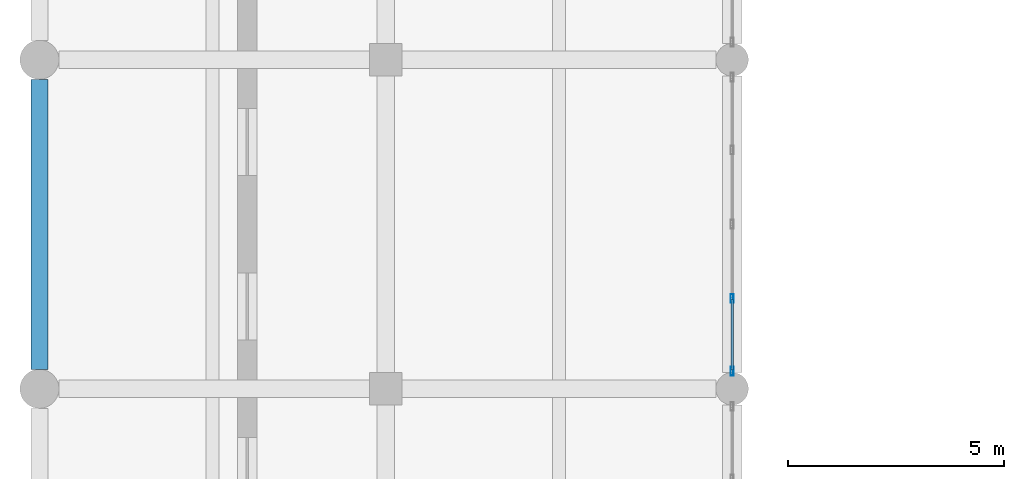
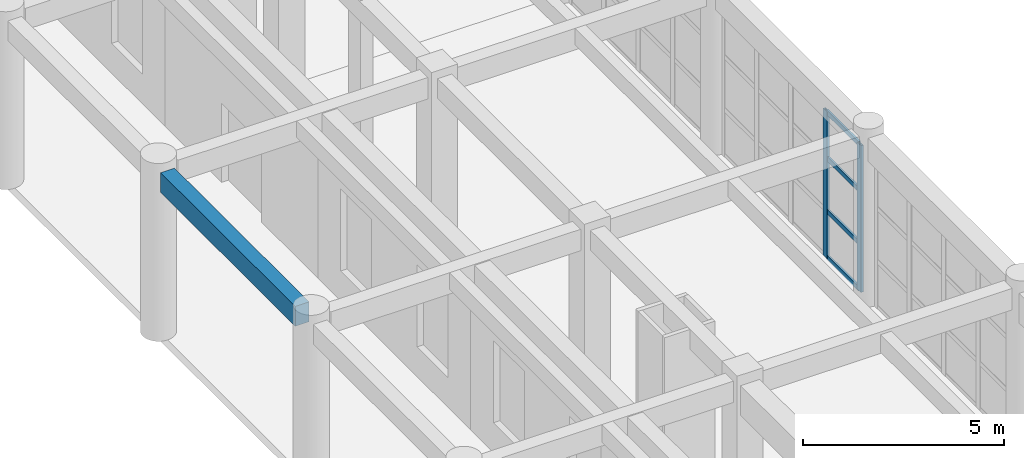
# One storey, part 17 of 95: 6 members, 1 beam, 1 element without a shape of its own.
"""IFC4 building model written with IfcOpenShell, lengths in metres."""

from ifc_helpers import new_model, si_unit, direction, frame, origin, origin_2d, place, context, subcontext, project, spatial, rectangle, hollow_rectangle, extrude, material, material_profile, profile_set, type_object, element, aggregate, save


model = new_model("IFC4")

# Units and contexts
model_context = context("Model", 3, precision=1e-05, world=origin(), true_north=direction((0.0, 1.0)))
body_context = subcontext(model_context, "Body", "Model", "MODEL_VIEW")
ifc_project = project(units=[si_unit("LENGTHUNIT", "METRE"), si_unit("AREAUNIT", "SQUARE_METRE"), si_unit("VOLUMEUNIT", "CUBIC_METRE"), si_unit("PLANEANGLEUNIT", "RADIAN"), si_unit("MASSUNIT", "GRAM", prefix="KILO")], contexts=[model_context])

# Site, building, storey
site_placement = place(None, origin())
site = spatial("IfcSite", under=ifc_project, at=site_placement, CompositionType="ELEMENT")
building_placement = place(site_placement, origin())
building = spatial("IfcBuilding", under=site, at=building_placement, Name="Zantavel Square City Hall", CompositionType="ELEMENT")
storey_placement = place(building_placement, origin())
storey = spatial("IfcBuildingStorey", under=building, at=storey_placement, Name="L01", CompositionType="ELEMENT", Elevation=0.0)

# Curtain wall, members
ifc_material_1 = material(Name="Anodised aluminium 6063-T6", Category="aluminium")
curtain_wall_type = type_object("IfcCurtainWallType", Name="Curtain Wall CRT 6850x4460", PredefinedType="USERDEFINED", material=ifc_material_1)
curtain_wall_placement = place(storey_placement, origin())
curtain_wall = element("IfcCurtainWall", 1, at=curtain_wall_placement, inside=storey, type_object=curtain_wall_type, Name="L01 Glazed Curtain Wall CW-L01-008", ObjectType="GLAZED CURTAIN WALL", PredefinedType="USERDEFINED")
ifc_material_profile_1 = material_profile(ifc_material_1, hollow_rectangle(XDim=0.070068359375, YDim=0.199951171875, WallThickness=0.00439453125, at=origin_2d()), Name="ALU 70x200x4.5")
ifc_profile_set_1 = profile_set([ifc_material_profile_1], Name="Anodised aluminium 6063-T6")
member_type_1 = type_object("IfcMemberType", Name="CW Heavy Hall Mullion ALU 70x200x4.5", PredefinedType="MULLION", material=ifc_profile_set_1)
member_1_placement = place(storey_placement, frame((16.0, 47.6875, 0.0), z_axis=(0.0, 0.0, 1.0), x_axis=(1.0, 0.0, 0.0)))
member_1 = element("IfcMember", 2, at=member_1_placement, type_object=member_type_1, Name="CW-008 mullion 4", PredefinedType="MULLION", context=body_context, shape_type="SweptSolid", body=[
    extrude(hollow_rectangle(XDim=0.070068359375, YDim=0.199951171875, WallThickness=0.00439453125, at=origin_2d()), origin(), (0.0, 0.0, 1.0), 4.4599609375),
])
member_2_placement = place(storey_placement, frame((16.0, 46.0048828125, 0.0), z_axis=(0.0, 0.0, 1.0), x_axis=(1.0, 0.0, 0.0)))
member_2 = element("IfcMember", 3, at=member_2_placement, type_object=member_type_1, Name="CW-008 mullion 5", PredefinedType="MULLION", context=body_context, shape_type="SweptSolid", body=[
    extrude(hollow_rectangle(XDim=0.070068359375, YDim=0.199951171875, WallThickness=0.00439453125, at=origin_2d()), origin(), (0.0, 0.0, 1.0), 4.4599609375),
])
ifc_material_profile_2 = material_profile(ifc_material_1, hollow_rectangle(XDim=0.06005859375, YDim=0.139892578125, WallThickness=0.00390625, at=origin_2d()), Name="ALU 60x140x4")
ifc_profile_set_2 = profile_set([ifc_material_profile_2], Name="Anodised aluminium 6063-T6")
member_type_2 = type_object("IfcMemberType", Name="CW Transom ALU 60x140x4", PredefinedType="USERDEFINED", material=ifc_profile_set_2)
member_3_placement = place(storey_placement, frame((16.0, 47.657470703125, 0.030029296875), z_axis=(0.0, -1.0, 0.0), x_axis=(1.0, 0.0, 0.0)))
member_3 = element("IfcMember", 4, at=member_3_placement, type_object=member_type_2, Name="CW-008 transom 4.1", ObjectType="TRANSOM", PredefinedType="USERDEFINED", context=body_context, shape_type="SweptSolid", body=[
    extrude(hollow_rectangle(XDim=0.06005859375, YDim=0.139892578125, WallThickness=0.00390625, at=origin_2d()), origin(), (0.0, 0.0, 1.0), 1.62255859375),
])
member_4_placement = place(storey_placement, frame((16.0, 47.657470703125, 1.427001953125), z_axis=(0.0, -1.0, 0.0), x_axis=(1.0, 0.0, 0.0)))
member_4 = element("IfcMember", 5, at=member_4_placement, type_object=member_type_2, Name="CW-008 transom 4.2", ObjectType="TRANSOM", PredefinedType="USERDEFINED", context=body_context, shape_type="SweptSolid", body=[
    extrude(hollow_rectangle(XDim=0.06005859375, YDim=0.139892578125, WallThickness=0.00390625, at=origin_2d()), origin(), (0.0, 0.0, 1.0), 1.62255859375),
])
member_5_placement = place(storey_placement, frame((16.0, 47.657470703125, 3.032958984375), z_axis=(0.0, -1.0, 0.0), x_axis=(1.0, 0.0, 0.0)))
member_5 = element("IfcMember", 6, at=member_5_placement, type_object=member_type_2, Name="CW-008 transom 4.3", ObjectType="TRANSOM", PredefinedType="USERDEFINED", context=body_context, shape_type="SweptSolid", body=[
    extrude(hollow_rectangle(XDim=0.06005859375, YDim=0.139892578125, WallThickness=0.00390625, at=origin_2d()), origin(), (0.0, 0.0, 1.0), 1.62255859375),
])
member_6_placement = place(storey_placement, frame((16.0, 47.657470703125, 4.429931640625), z_axis=(0.0, -1.0, 0.0), x_axis=(1.0, 0.0, 0.0)))
member_6 = element("IfcMember", 7, at=member_6_placement, type_object=member_type_2, Name="CW-008 transom 4.4", ObjectType="TRANSOM", PredefinedType="USERDEFINED", context=body_context, shape_type="SweptSolid", body=[
    extrude(hollow_rectangle(XDim=0.06005859375, YDim=0.139892578125, WallThickness=0.00390625, at=origin_2d()), origin(), (0.0, 0.0, 1.0), 1.62255859375),
])
aggregate(curtain_wall, [member_1, member_2, member_3, member_4, member_5, member_6])

# Beam
ifc_material_2 = material(Name="Concrete C35/45", Category="concrete")
ifc_material_profile_3 = material_profile(ifc_material_2, rectangle(XDim=0.39990234375, YDim=0.60009765625, at=origin_2d()), Name="RC 400x600")
ifc_profile_set_3 = profile_set([ifc_material_profile_3], Name="Concrete C35/45")
beam_type = type_object("IfcBeamType", Name="Perimeter Spandrel RC 400x600 C35/45", PredefinedType="SPANDREL", material=ifc_profile_set_3)
beam_placement = place(storey_placement, frame((0.0, 46.050048828125, 4.85009765625), z_axis=(0.0, 1.0, 0.0), x_axis=(-1.0, 0.0, 0.0)))
element("IfcBeam", 8, at=beam_placement, inside=storey, type_object=beam_type, Name="L01 Beam BMY-L01-0000-0456", PredefinedType="SPANDREL", context=body_context, shape_type="SweptSolid", body=[
    extrude(rectangle(XDim=0.39990234375, YDim=0.60009765625, at=origin_2d()), origin(), (0.0, 0.0, 1.0), 6.699951171875),
])

save(model, "model.ifc")
